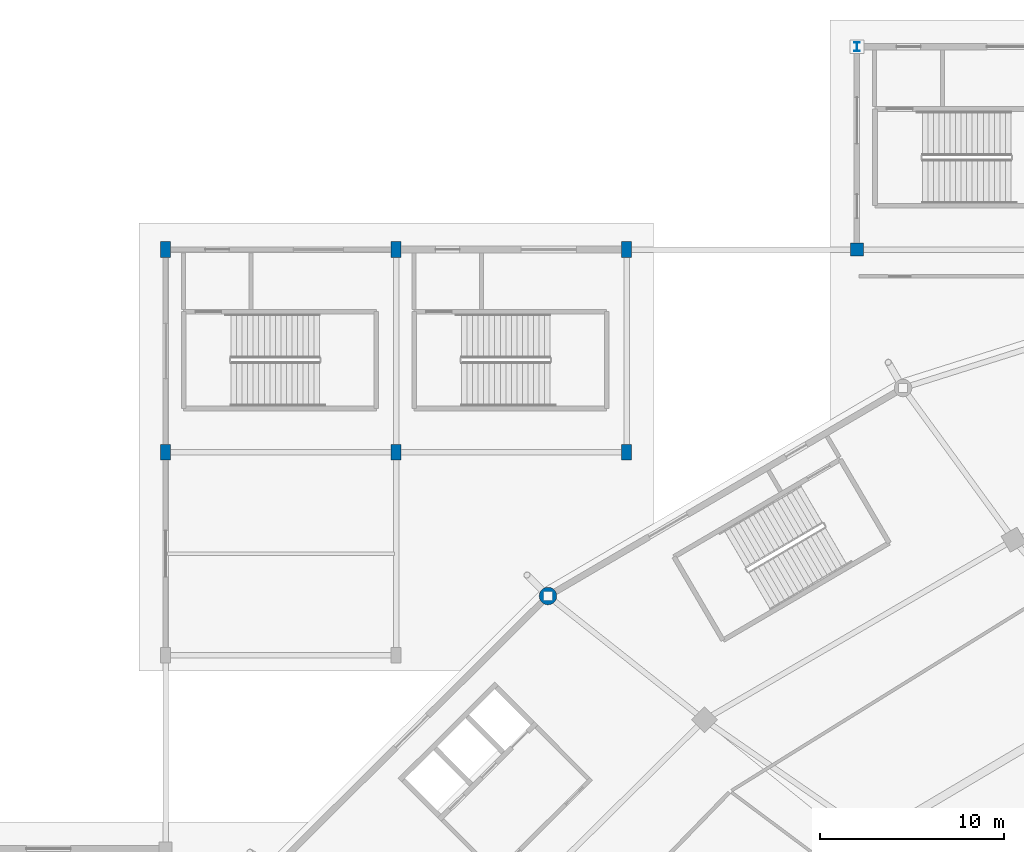
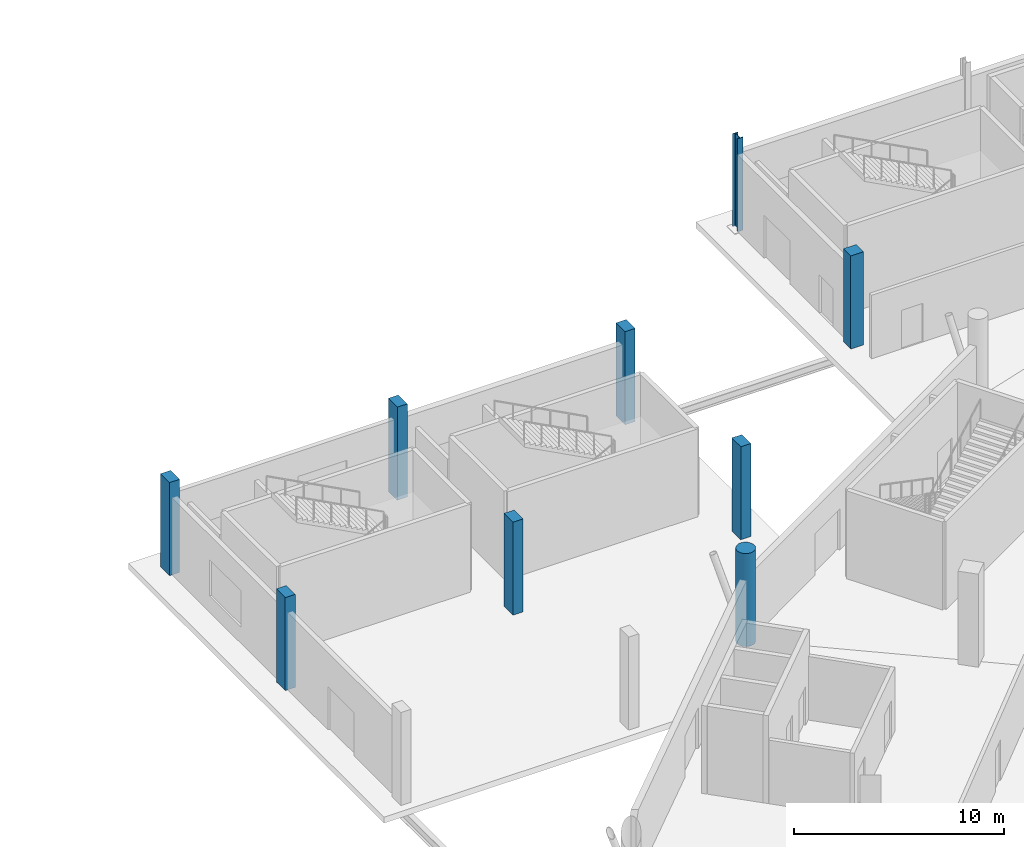
# One storey, part 17 of 82: 9 columns.
"""IFC4 building model written with IfcOpenShell, lengths in metres."""

from ifc_helpers import new_model, si_unit, direction, frame, origin, origin_2d, place, context, subcontext, project, spatial, rectangle, circle, i_section, extrude, material, material_profile, profile_set, type_object, element, save


model = new_model("IFC4")

# Units and contexts
model_context = context("Model", 3, precision=1e-05, world=origin(), true_north=direction((0.0, 1.0)))
body_context = subcontext(model_context, "Body", "Model", "MODEL_VIEW")
ifc_project = project(units=[si_unit("LENGTHUNIT", "METRE"), si_unit("AREAUNIT", "SQUARE_METRE"), si_unit("VOLUMEUNIT", "CUBIC_METRE"), si_unit("PLANEANGLEUNIT", "RADIAN"), si_unit("MASSUNIT", "GRAM", prefix="KILO")], contexts=[model_context])

# Site, building, storey
site_placement = place(None, origin())
site = spatial("IfcSite", under=ifc_project, at=site_placement, CompositionType="ELEMENT")
building_placement = place(site_placement, origin())
building = spatial("IfcBuilding", under=site, at=building_placement, Name="Zlatoyarsky Gate Stadium", CompositionType="ELEMENT")
storey_placement = place(building_placement, origin())
storey = spatial("IfcBuildingStorey", under=building, at=storey_placement, Name="L00", CompositionType="ELEMENT", Elevation=0.0)

# Columns
ifc_material_1 = material(Name="Concrete C40/50", Category="concrete")
ifc_material_profile_1 = material_profile(ifc_material_1, circle(Radius=0.47509765625, at=origin_2d()), Name="RC COL D950")
ifc_profile_set_1 = profile_set([ifc_material_profile_1], Name="Concrete C40/50")
column_type_1 = type_object("IfcColumnType", Name="CONCRETE CIRCULAR COLUMN D950", PredefinedType="COLUMN", material=ifc_profile_set_1)
column_1_placement = place(storey_placement, frame((45.239013671875, 130.20458984375, 0.0), z_axis=(0.0, 0.0, 1.0), x_axis=(-0.707106781187, 0.707106781187, 0.0)))
element("IfcColumn", 1, at=column_1_placement, inside=storey, type_object=column_type_1, Name="Column RC-CD95 RC-09 on L00", PredefinedType="COLUMN", context=body_context, shape_type="SweptSolid", body=[
    extrude(circle(Radius=0.47509765625, at=origin_2d()), origin(), (0.0, 0.0, 1.0), 5.39990234375),
])
ifc_material_profile_2 = material_profile(ifc_material_1, rectangle(XDim=0.699951171875, YDim=0.699951171875, at=origin_2d()), Name="RC COL 700X700")
ifc_profile_set_2 = profile_set([ifc_material_profile_2], Name="Concrete C40/50")
column_type_2 = type_object("IfcColumnType", Name="CONCRETE COLUMN 700X700", PredefinedType="COLUMN", material=ifc_profile_set_2)
column_2_placement = place(storey_placement, frame((62.0, 149.0, 0.0), z_axis=(0.0, 0.0, 1.0), x_axis=(1.0, 0.0, 0.0)))
element("IfcColumn", 2, at=column_2_placement, inside=storey, type_object=column_type_2, Name="Column RC-C70 WG-6-P on L00", PredefinedType="COLUMN", context=body_context, shape_type="SweptSolid", body=[
    extrude(rectangle(XDim=0.699951171875, YDim=0.699951171875, at=origin_2d()), origin(), (0.0, 0.0, 1.0), 5.39990234375),
])
ifc_material_profile_3 = material_profile(ifc_material_1, rectangle(XDim=0.550048828125, YDim=0.85009765625, at=origin_2d()), Name="RC PILASTER 550X850")
ifc_profile_set_3 = profile_set([ifc_material_profile_3], Name="Concrete C40/50")
column_type_3 = type_object("IfcColumnType", Name="CONCRETE PORTAL PILASTER 550X850", PredefinedType="PILASTER", material=ifc_profile_set_3)
for number, where, z_axis, x_axis, name in (
    (3, (24.5, 138.0, 0.0), (0.0, 0.0, 1.0), (1.0, 0.0, 0.0), "Column RC-PL85 WG-3-N on L00"),
    (4, (24.5, 149.0, 0.0), (0.0, 0.0, 1.0), (1.0, 0.0, 0.0), "Column RC-PL85 WG-3-P on L00"),
    (5, (37.0, 138.0, 0.0), (0.0, 0.0, 1.0), (1.0, 0.0, 0.0), "Column RC-PL85 WG-4-N on L00"),
    (6, (37.0, 149.0, 0.0), (0.0, 0.0, 1.0), (1.0, 0.0, 0.0), "Column RC-PL85 WG-4-P on L00"),
    (7, (49.5, 138.0, 0.0), (0.0, 0.0, 1.0), (1.0, 0.0, 0.0), "Column RC-PL85 WG-5-N on L00"),
    (8, (49.5, 149.0, 0.0), (0.0, 0.0, 1.0), (1.0, 0.0, 0.0), "Column RC-PL85 WG-5-P on L00"),
):
    element("IfcColumn", number, at=place(storey_placement, frame(where, z_axis=z_axis, x_axis=x_axis)), inside=storey, type_object=column_type_3, Name=name, PredefinedType="PILASTER", context=body_context, shape_type="SweptSolid", body=[
        extrude(rectangle(XDim=0.550048828125, YDim=0.85009765625, at=origin_2d()), origin(), (0.0, 0.0, 1.0), 5.39990234375),
    ])
ifc_material_2 = material(Name="Steel S355", Category="steel")
ifc_material_profile_4 = material_profile(ifc_material_2, i_section(OverallWidth=0.300048828125, OverallDepth=0.5, WebThickness=0.014404296875, FlangeThickness=0.028076171875, FilletRadius=0.027099609375, at=origin_2d()), Name="HEB 500")
ifc_profile_set_4 = profile_set([ifc_material_profile_4], Name="Steel S355")
column_type_4 = type_object("IfcColumnType", Name="STEEL COLUMN HEB 500", PredefinedType="COLUMN", material=ifc_profile_set_4)
column_3_placement = place(storey_placement, frame((62.0, 160.0, 0.0), z_axis=(0.0, 0.0, 1.0), x_axis=(1.0, 0.0, 0.0)))
element("IfcColumn", 9, at=column_3_placement, inside=storey, type_object=column_type_4, Name="Column ST-C500 WG-6-Q on L00", PredefinedType="COLUMN", context=body_context, shape_type="SweptSolid", body=[
    extrude(i_section(OverallWidth=0.300048828125, OverallDepth=0.5, WebThickness=0.014404296875, FlangeThickness=0.028076171875, FilletRadius=0.027099609375, at=origin_2d()), origin(), (0.0, 0.0, 1.0), 5.39990234375),
])

save(model, "model.ifc")
